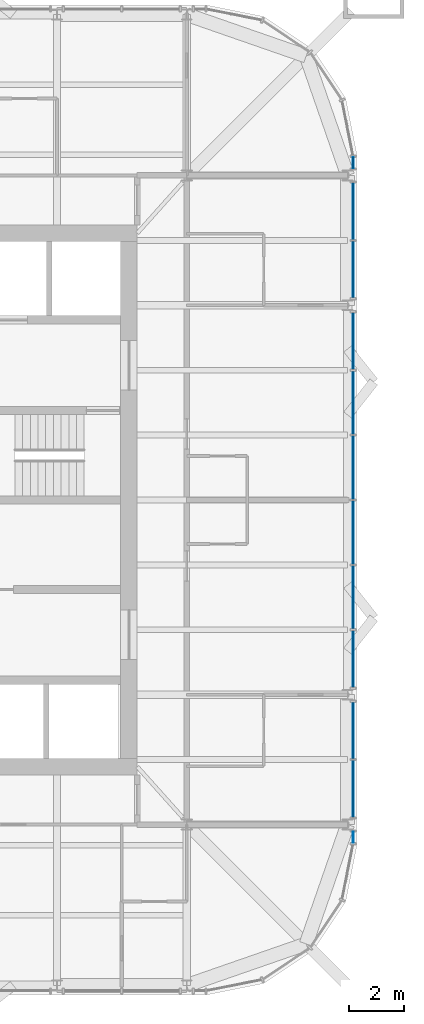
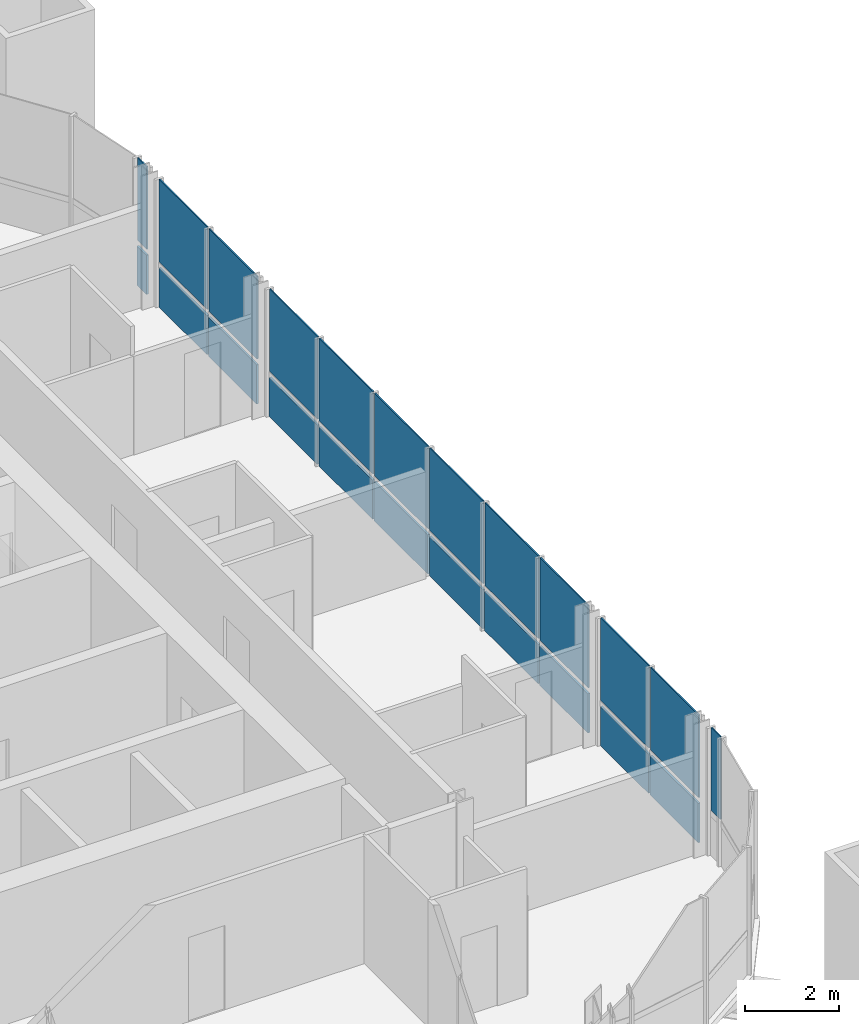
# One storey, part 11 of 17: 23 plates, 5 elements without a shape of their own.
"""IFC4 building model written with IfcOpenShell, lengths in metres."""

from ifc_helpers import new_model, si_unit, direction, frame, origin, origin_2d, place, context, subcontext, project, spatial, rectangle, extrude, material, layer, layer_set, type_object, element, aggregate, save


model = new_model("IFC4")

# Units and contexts
model_context = context("Model", 3, precision=1e-05, world=origin(), true_north=direction((0.0, 1.0)))
body_context = subcontext(model_context, "Body", "Model", "MODEL_VIEW")
ifc_project = project(units=[si_unit("LENGTHUNIT", "METRE"), si_unit("AREAUNIT", "SQUARE_METRE"), si_unit("VOLUMEUNIT", "CUBIC_METRE"), si_unit("PLANEANGLEUNIT", "RADIAN"), si_unit("MASSUNIT", "GRAM", prefix="KILO")], contexts=[model_context])

# Site, building, storey
site_placement = place(None, origin())
site = spatial("IfcSite", under=ifc_project, at=site_placement, CompositionType="ELEMENT")
building_placement = place(site_placement, origin())
building = spatial("IfcBuilding", under=site, at=building_placement, Name="Turquesa Mirador Hotel Tower", CompositionType="ELEMENT")
storey_placement = place(building_placement, frame((0.0, 0.0, 244.199951171875)))
storey = spatial("IfcBuildingStorey", under=building, at=storey_placement, Name="L66", CompositionType="ELEMENT", Elevation=244.199951171875)

# Curtain wall, plates
ifc_material_1 = material(Name="Aluminium extrusion", Category="aluminium")
curtain_wall_type = type_object("IfcCurtainWallType", Name="CW-4 SUITE FRITTED CURTAIN WALL", PredefinedType="USERDEFINED", material=ifc_material_1)
curtain_wall_1_placement = place(storey_placement, origin())
curtain_wall_1 = element("IfcCurtainWall", 1, at=curtain_wall_1_placement, inside=storey, type_object=curtain_wall_type, Name="CW-4 SUITE FRITTED CURTAIN WALL L66", ObjectType="CURTAIN WALL", PredefinedType="USERDEFINED")
ifc_material_2 = material(Name="Ceramic-printed spandrel glass on an insulated back pan", Category="glass")
ifc_layer_1 = layer(ifc_material_2, 0.050048828125)
ifc_layer_set_1 = layer_set([ifc_layer_1], Name="CW PANEL SPANDREL CERAMIC")
plate_type_1 = type_object("IfcPlateType", Name="CW PANEL SPANDREL CERAMIC", PredefinedType="CURTAIN_PANEL", material=ifc_layer_set_1)
plate_1_placement = place(storey_placement, frame((72.85009765625, 34.496826171875, 0.0), z_axis=(0.0, 0.0, 1.0), x_axis=(0.0, 1.0, 0.0)))
plate_1 = element("IfcPlate", 2, at=plate_1_placement, type_object=plate_type_1, Name="Panel", PredefinedType="CURTAIN_PANEL", context=body_context, shape_type="SweptSolid", body=[
    extrude(rectangle(XDim=2.06103515625, YDim=0.050048828125, at=origin_2d()), origin(), (0.0, 0.0, 1.0), 1.02490234375),
])
plate_2_placement = place(storey_placement, frame((72.85009765625, 36.623046875, 0.0), z_axis=(0.0, 0.0, 1.0), x_axis=(0.0, 1.0, 0.0)))
plate_2 = element("IfcPlate", 3, at=plate_2_placement, type_object=plate_type_1, Name="Panel", PredefinedType="CURTAIN_PANEL", context=body_context, shape_type="SweptSolid", body=[
    extrude(rectangle(XDim=2.06103515625, YDim=0.050048828125, at=origin_2d()), origin(), (0.0, 0.0, 1.0), 1.02490234375),
])

curtain_wall_2_placement = place(storey_placement, origin())
curtain_wall_2 = element("IfcCurtainWall", 4, at=curtain_wall_2_placement, inside=storey, type_object=curtain_wall_type, Name="CW-4 SUITE FRITTED CURTAIN WALL L66", ObjectType="CURTAIN WALL", PredefinedType="USERDEFINED")
plate_3_placement = place(storey_placement, frame((72.85009765625, 39.217041015625, 0.0), z_axis=(0.0, 0.0, 1.0), x_axis=(0.0, 1.0, 0.0)))
plate_3 = element("IfcPlate", 5, at=plate_3_placement, type_object=plate_type_1, Name="Panel", PredefinedType="CURTAIN_PANEL", context=body_context, shape_type="SweptSolid", body=[
    extrude(rectangle(XDim=2.06103515625, YDim=0.050048828125, at=origin_2d()), origin(), (0.0, 0.0, 1.0), 1.02490234375),
])
plate_4_placement = place(storey_placement, frame((72.85009765625, 41.4599609375, 0.0), z_axis=(0.0, 0.0, 1.0), x_axis=(0.0, 1.0, 0.0)))
plate_4 = element("IfcPlate", 6, at=plate_4_placement, type_object=plate_type_1, Name="Panel", PredefinedType="CURTAIN_PANEL", context=body_context, shape_type="SweptSolid", body=[
    extrude(rectangle(XDim=2.294921875, YDim=0.050048828125, at=origin_2d()), origin(), (0.0, 0.0, 1.0), 1.02490234375),
])
plate_5_placement = place(storey_placement, frame((72.85009765625, 43.820068359375, 0.0), z_axis=(0.0, 0.0, 1.0), x_axis=(0.0, 1.0, 0.0)))
plate_5 = element("IfcPlate", 7, at=plate_5_placement, type_object=plate_type_1, Name="Panel", PredefinedType="CURTAIN_PANEL", context=body_context, shape_type="SweptSolid", body=[
    extrude(rectangle(XDim=2.294921875, YDim=0.050048828125, at=origin_2d()), origin(), (0.0, 0.0, 1.0), 1.02490234375),
])
plate_6_placement = place(storey_placement, frame((72.85009765625, 46.179931640625, 0.0), z_axis=(0.0, 0.0, 1.0), x_axis=(0.0, 1.0, 0.0)))
plate_6 = element("IfcPlate", 8, at=plate_6_placement, type_object=plate_type_1, Name="Panel", PredefinedType="CURTAIN_PANEL", context=body_context, shape_type="SweptSolid", body=[
    extrude(rectangle(XDim=2.294921875, YDim=0.050048828125, at=origin_2d()), origin(), (0.0, 0.0, 1.0), 1.02490234375),
])
plate_7_placement = place(storey_placement, frame((72.85009765625, 48.5400390625, 0.0), z_axis=(0.0, 0.0, 1.0), x_axis=(0.0, 1.0, 0.0)))
plate_7 = element("IfcPlate", 9, at=plate_7_placement, type_object=plate_type_1, Name="Panel", PredefinedType="CURTAIN_PANEL", context=body_context, shape_type="SweptSolid", body=[
    extrude(rectangle(XDim=2.294921875, YDim=0.050048828125, at=origin_2d()), origin(), (0.0, 0.0, 1.0), 1.02490234375),
])
plate_8_placement = place(storey_placement, frame((72.85009765625, 50.782958984375, 0.0), z_axis=(0.0, 0.0, 1.0), x_axis=(0.0, 1.0, 0.0)))
plate_8 = element("IfcPlate", 10, at=plate_8_placement, type_object=plate_type_1, Name="Panel", PredefinedType="CURTAIN_PANEL", context=body_context, shape_type="SweptSolid", body=[
    extrude(rectangle(XDim=2.06103515625, YDim=0.050048828125, at=origin_2d()), origin(), (0.0, 0.0, 1.0), 1.02490234375),
])

curtain_wall_3_placement = place(storey_placement, origin())
curtain_wall_3 = element("IfcCurtainWall", 11, at=curtain_wall_3_placement, inside=storey, type_object=curtain_wall_type, Name="CW-4 SUITE FRITTED CURTAIN WALL L66", ObjectType="CURTAIN WALL", PredefinedType="USERDEFINED")
plate_9_placement = place(storey_placement, frame((72.85009765625, 53.376953125, 0.0), z_axis=(0.0, 0.0, 1.0), x_axis=(0.0, 1.0, 0.0)))
plate_9 = element("IfcPlate", 12, at=plate_9_placement, type_object=plate_type_1, Name="Panel", PredefinedType="CURTAIN_PANEL", context=body_context, shape_type="SweptSolid", body=[
    extrude(rectangle(XDim=2.06103515625, YDim=0.050048828125, at=origin_2d()), origin(), (0.0, 0.0, 1.0), 1.02490234375),
])
plate_10_placement = place(storey_placement, frame((72.85009765625, 55.503173828125, 0.0), z_axis=(0.0, 0.0, 1.0), x_axis=(0.0, 1.0, 0.0)))
plate_10 = element("IfcPlate", 13, at=plate_10_placement, type_object=plate_type_1, Name="Panel", PredefinedType="CURTAIN_PANEL", context=body_context, shape_type="SweptSolid", body=[
    extrude(rectangle(XDim=2.06103515625, YDim=0.050048828125, at=origin_2d()), origin(), (0.0, 0.0, 1.0), 1.02490234375),
])

# Curtain wall, plate
curtain_wall_4_placement = place(storey_placement, origin())
curtain_wall_4 = element("IfcCurtainWall", 14, at=curtain_wall_4_placement, inside=storey, type_object=curtain_wall_type, Name="CW-4 SUITE FRITTED CURTAIN WALL L66", ObjectType="CURTAIN WALL", PredefinedType="USERDEFINED")
plate_11_placement = place(storey_placement, frame((72.85009765625, 57.266845703125, 0.0), z_axis=(0.0, 0.0, 1.0), x_axis=(0.0, 1.0, 0.0)))
plate_11 = element("IfcPlate", 15, at=plate_11_placement, type_object=plate_type_1, Name="Panel", PredefinedType="CURTAIN_PANEL", context=body_context, shape_type="SweptSolid", body=[
    extrude(rectangle(XDim=0.401123046875, YDim=0.050048828125, at=origin_2d()), origin(), (0.0, 0.0, 1.0), 1.02490234375),
])

curtain_wall_5_placement = place(storey_placement, origin())
curtain_wall_5 = element("IfcCurtainWall", 16, at=curtain_wall_5_placement, inside=storey, type_object=curtain_wall_type, Name="CW-4 SUITE FRITTED CURTAIN WALL L66", ObjectType="CURTAIN WALL", PredefinedType="USERDEFINED")
ifc_material_3 = material(Name="Ceramic-fritted laminated glass", Category="glass")
ifc_layer_2 = layer(ifc_material_3, 0.031982421875)
ifc_layer_set_2 = layer_set([ifc_layer_2], Name="CW PANEL VISION FRITTED")
plate_type_2 = type_object("IfcPlateType", Name="CW PANEL VISION FRITTED", PredefinedType="CURTAIN_PANEL", material=ifc_layer_set_2)
plate_12_placement = place(storey_placement, frame((72.85009765625, 32.733154296875, 1.1748046875), z_axis=(0.0, 0.0, 1.0), x_axis=(0.0, 1.0, 0.0)))
plate_12 = element("IfcPlate", 17, at=plate_12_placement, type_object=plate_type_2, Name="Panel", PredefinedType="CURTAIN_PANEL", context=body_context, shape_type="SweptSolid", body=[
    extrude(rectangle(XDim=0.401123046875, YDim=0.031982421875, at=origin_2d()), origin(), (0.0, 0.0, 1.0), 2.155029296875),
])
aggregate(curtain_wall_5, [plate_12])

# Plate
plate_13_placement = place(storey_placement, frame((72.85009765625, 34.496826171875, 1.1748046875), z_axis=(0.0, 0.0, 1.0), x_axis=(0.0, 1.0, 0.0)))
plate_13 = element("IfcPlate", 18, at=plate_13_placement, type_object=plate_type_2, Name="Panel", PredefinedType="CURTAIN_PANEL", context=body_context, shape_type="SweptSolid", body=[
    extrude(rectangle(XDim=2.06103515625, YDim=0.031982421875, at=origin_2d()), origin(), (0.0, 0.0, 1.0), 2.155029296875),
])

plate_14_placement = place(storey_placement, frame((72.85009765625, 36.623046875, 1.1748046875), z_axis=(0.0, 0.0, 1.0), x_axis=(0.0, 1.0, 0.0)))
plate_14 = element("IfcPlate", 19, at=plate_14_placement, type_object=plate_type_2, Name="Panel", PredefinedType="CURTAIN_PANEL", context=body_context, shape_type="SweptSolid", body=[
    extrude(rectangle(XDim=2.06103515625, YDim=0.031982421875, at=origin_2d()), origin(), (0.0, 0.0, 1.0), 2.155029296875),
])

aggregate(curtain_wall_1, [plate_1, plate_13, plate_2, plate_14])

plate_15_placement = place(storey_placement, frame((72.85009765625, 39.217041015625, 1.1748046875), z_axis=(0.0, 0.0, 1.0), x_axis=(0.0, 1.0, 0.0)))
plate_15 = element("IfcPlate", 20, at=plate_15_placement, type_object=plate_type_2, Name="Panel", PredefinedType="CURTAIN_PANEL", context=body_context, shape_type="SweptSolid", body=[
    extrude(rectangle(XDim=2.06103515625, YDim=0.031982421875, at=origin_2d()), origin(), (0.0, 0.0, 1.0), 2.155029296875),
])

plate_16_placement = place(storey_placement, frame((72.85009765625, 41.4599609375, 1.1748046875), z_axis=(0.0, 0.0, 1.0), x_axis=(0.0, 1.0, 0.0)))
plate_16 = element("IfcPlate", 21, at=plate_16_placement, type_object=plate_type_2, Name="Panel", PredefinedType="CURTAIN_PANEL", context=body_context, shape_type="SweptSolid", body=[
    extrude(rectangle(XDim=2.294921875, YDim=0.031982421875, at=origin_2d()), origin(), (0.0, 0.0, 1.0), 2.155029296875),
])

plate_17_placement = place(storey_placement, frame((72.85009765625, 43.820068359375, 1.1748046875), z_axis=(0.0, 0.0, 1.0), x_axis=(0.0, 1.0, 0.0)))
plate_17 = element("IfcPlate", 22, at=plate_17_placement, type_object=plate_type_2, Name="Panel", PredefinedType="CURTAIN_PANEL", context=body_context, shape_type="SweptSolid", body=[
    extrude(rectangle(XDim=2.294921875, YDim=0.031982421875, at=origin_2d()), origin(), (0.0, 0.0, 1.0), 2.155029296875),
])

plate_18_placement = place(storey_placement, frame((72.85009765625, 46.179931640625, 1.1748046875), z_axis=(0.0, 0.0, 1.0), x_axis=(0.0, 1.0, 0.0)))
plate_18 = element("IfcPlate", 23, at=plate_18_placement, type_object=plate_type_2, Name="Panel", PredefinedType="CURTAIN_PANEL", context=body_context, shape_type="SweptSolid", body=[
    extrude(rectangle(XDim=2.294921875, YDim=0.031982421875, at=origin_2d()), origin(), (0.0, 0.0, 1.0), 2.155029296875),
])

plate_19_placement = place(storey_placement, frame((72.85009765625, 48.5400390625, 1.1748046875), z_axis=(0.0, 0.0, 1.0), x_axis=(0.0, 1.0, 0.0)))
plate_19 = element("IfcPlate", 24, at=plate_19_placement, type_object=plate_type_2, Name="Panel", PredefinedType="CURTAIN_PANEL", context=body_context, shape_type="SweptSolid", body=[
    extrude(rectangle(XDim=2.294921875, YDim=0.031982421875, at=origin_2d()), origin(), (0.0, 0.0, 1.0), 2.155029296875),
])

plate_20_placement = place(storey_placement, frame((72.85009765625, 50.782958984375, 1.1748046875), z_axis=(0.0, 0.0, 1.0), x_axis=(0.0, 1.0, 0.0)))
plate_20 = element("IfcPlate", 25, at=plate_20_placement, type_object=plate_type_2, Name="Panel", PredefinedType="CURTAIN_PANEL", context=body_context, shape_type="SweptSolid", body=[
    extrude(rectangle(XDim=2.06103515625, YDim=0.031982421875, at=origin_2d()), origin(), (0.0, 0.0, 1.0), 2.155029296875),
])

aggregate(curtain_wall_2, [plate_3, plate_15, plate_4, plate_16, plate_5, plate_17, plate_6, plate_18, plate_7, plate_19, plate_8, plate_20])

plate_21_placement = place(storey_placement, frame((72.85009765625, 53.376953125, 1.1748046875), z_axis=(0.0, 0.0, 1.0), x_axis=(0.0, 1.0, 0.0)))
plate_21 = element("IfcPlate", 26, at=plate_21_placement, type_object=plate_type_2, Name="Panel", PredefinedType="CURTAIN_PANEL", context=body_context, shape_type="SweptSolid", body=[
    extrude(rectangle(XDim=2.06103515625, YDim=0.031982421875, at=origin_2d()), origin(), (0.0, 0.0, 1.0), 2.155029296875),
])

plate_22_placement = place(storey_placement, frame((72.85009765625, 55.503173828125, 1.1748046875), z_axis=(0.0, 0.0, 1.0), x_axis=(0.0, 1.0, 0.0)))
plate_22 = element("IfcPlate", 27, at=plate_22_placement, type_object=plate_type_2, Name="Panel", PredefinedType="CURTAIN_PANEL", context=body_context, shape_type="SweptSolid", body=[
    extrude(rectangle(XDim=2.06103515625, YDim=0.031982421875, at=origin_2d()), origin(), (0.0, 0.0, 1.0), 2.155029296875),
])

aggregate(curtain_wall_3, [plate_9, plate_21, plate_10, plate_22])

plate_23_placement = place(storey_placement, frame((72.85009765625, 57.266845703125, 1.1748046875), z_axis=(0.0, 0.0, 1.0), x_axis=(0.0, 1.0, 0.0)))
plate_23 = element("IfcPlate", 28, at=plate_23_placement, type_object=plate_type_2, Name="Panel", PredefinedType="CURTAIN_PANEL", context=body_context, shape_type="SweptSolid", body=[
    extrude(rectangle(XDim=0.401123046875, YDim=0.031982421875, at=origin_2d()), origin(), (0.0, 0.0, 1.0), 2.155029296875),
])

aggregate(curtain_wall_4, [plate_11, plate_23])

save(model, "model.ifc")
